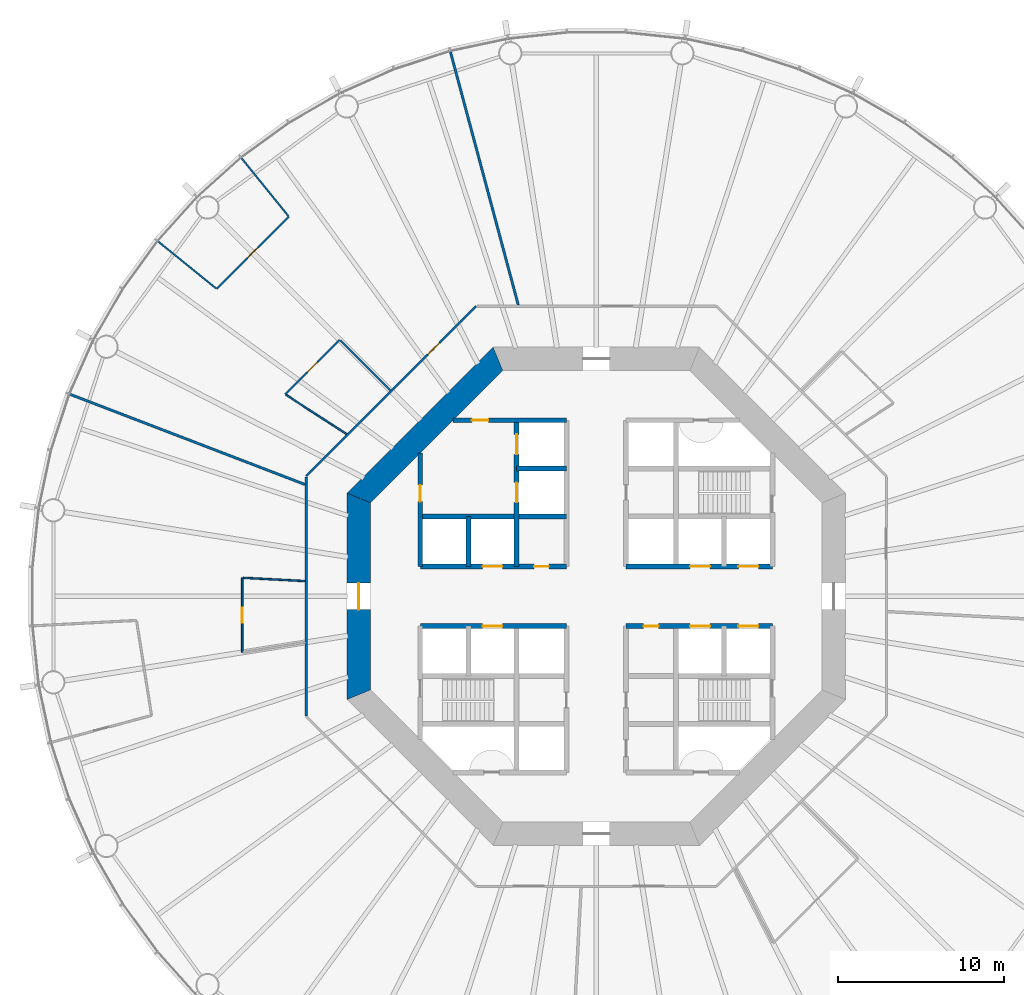
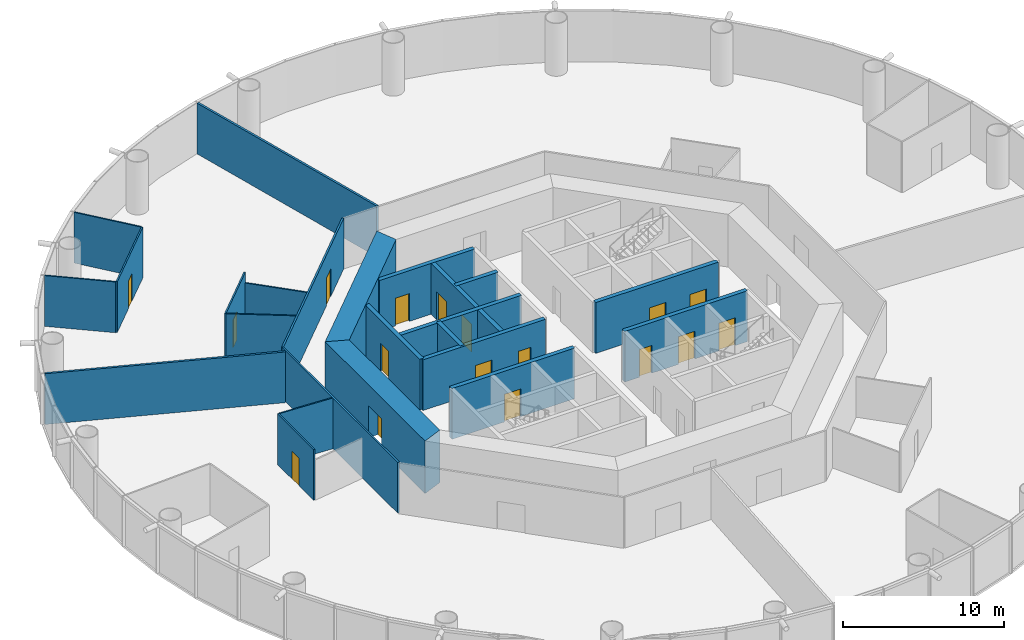
# One storey, part 4 of 12: 24 walls, 17 doors, 17 openings.
"""IFC4 building model written with IfcOpenShell, lengths in metres."""

import ifcopenshell
import ifcopenshell.guid

model = None  # the IFC model being written
_history = None  # IfcOwnerHistory: only IFC2X3 demands one
_inside = {}  # id of a spatial element -> (the spatial element, [elements in it])
_under = {}  # id of a project, library or spatial element -> (it, [spatial elements below it])
_declared = {}  # id of a project -> (the project, [libraries it declares])
_typed = {}  # id of a type object -> (the type object, [elements of that type])
_made_of = {}  # id of a material, layer set ... -> (it, [elements and type objects made of it])


def new_model(schema):
    """Start an empty IFC model of exactly this schema.

    Asked for "IFC4X3", IfcOpenShell would pick the latest addendum, in which some entities
    have other attributes; the version numbers below select the first issue.
    IFC2X3 requires an IfcOwnerHistory on every rooted entity: one is made here for all.
    """
    global model, _history
    if schema == "IFC4X3":
        model = ifcopenshell.file(schema_version=(4, 3, 0, 0))
    else:
        model = ifcopenshell.file(schema=schema)
    _inside.clear()
    _under.clear()
    _declared.clear()
    _typed.clear()
    _made_of.clear()
    _history = None
    if model.schema == "IFC2X3":
        org = make("IfcOrganization", Name="unknown")
        user = make(
            "IfcPersonAndOrganization",
            ThePerson=make("IfcPerson", FamilyName="unknown"),
            TheOrganization=org,
        )
        app = make(
            "IfcApplication",
            ApplicationDeveloper=org,
            Version="unknown",
            ApplicationFullName="unknown",
            ApplicationIdentifier="unknown",
        )
        _history = make(
            "IfcOwnerHistory",
            OwningUser=user,
            OwningApplication=app,
            ChangeAction="ADDED",
            CreationDate=0,
        )
    return model


def make(cls, **values):
    """One entity of the class cls with the attributes given. An attribute that is None is left unset."""
    return model.create_entity(
        cls, **{name: value for name, value in values.items() if value is not None}
    )


def rooted(cls, **values):
    """An entity with a GlobalId (a new one), such as an element, a storey or a relation."""
    return make(cls, GlobalId=ifcopenshell.guid.new(), OwnerHistory=_history, **values)


def si_unit(unit_type, name, prefix=None):
    """IfcSIUnit, for example si_unit("LENGTHUNIT", "METRE", prefix="MILLI")."""
    return make("IfcSIUnit", UnitType=unit_type, Prefix=prefix, Name=name)


def assignment(units):
    """IfcUnitAssignment: the units of a project."""
    return None if units is None else make("IfcUnitAssignment", Units=units)


def point(xyz):
    """IfcCartesianPoint."""
    return None if xyz is None else make("IfcCartesianPoint", Coordinates=xyz)


def direction(xyz):
    """IfcDirection."""
    return None if xyz is None else make("IfcDirection", DirectionRatios=xyz)


def frame(location, z_axis=None, x_axis=None):
    """IfcAxis2Placement3D, a coordinate frame: its origin and axes. An axis left out is left unset."""
    return make(
        "IfcAxis2Placement3D",
        Location=point(location),
        Axis=direction(z_axis),
        RefDirection=direction(x_axis),
    )


def frame_2d(location, x_axis=None):
    """IfcAxis2Placement2D, a coordinate frame in the plane: its origin and x axis."""
    return make(
        "IfcAxis2Placement2D", Location=point(location), RefDirection=direction(x_axis)
    )


def origin():
    """The frame at (0, 0, 0) with its axes left unset."""
    return frame((0.0, 0.0, 0.0))


def place(relative_to, where):
    """IfcLocalPlacement: puts the frame where relative to a parent placement (None: the world)."""
    return make(
        "IfcLocalPlacement", PlacementRelTo=relative_to, RelativePlacement=where
    )


def context(
    kind, dimensions, precision=None, world=None, true_north=None, identifier=None
):
    """IfcGeometricRepresentationContext, for example the 3D "Model" context."""
    return make(
        "IfcGeometricRepresentationContext",
        ContextIdentifier=identifier,
        ContextType=kind,
        CoordinateSpaceDimension=dimensions,
        Precision=precision,
        WorldCoordinateSystem=world,
        TrueNorth=true_north,
    )


def subcontext(parent, identifier, kind, view, scale=None):
    """IfcGeometricRepresentationSubContext, for example "Body" below "Model"."""
    return make(
        "IfcGeometricRepresentationSubContext",
        ContextIdentifier=identifier,
        ContextType=kind,
        ParentContext=parent,
        TargetScale=scale,
        TargetView=view,
    )


def project(units=None, contexts=None):
    """IfcProject with its units and contexts."""
    return rooted(
        "IfcProject",
        Name="project",
        RepresentationContexts=contexts,
        UnitsInContext=assignment(units),
    )


def spatial(cls, under=None, at=None, **own):
    """A site, building, storey or space (cls), placed at a placement, below another one or the project."""
    s = rooted(cls, ObjectPlacement=at, **own)
    if under is not None:
        _under.setdefault(under.id(), (under, []))[1].append(s)
    return s


def polyline(points):
    """IfcPolyline through the points."""
    return make("IfcPolyline", Points=[point(p) for p in points])


def profile(cls, at=None, kind="AREA", **sizes):
    """A parametric profile (cls). Its sizes go by their IFC names, for example OverallWidth=200.0."""
    return make(cls, ProfileType=kind, Position=at, **sizes)


def rectangle(**sizes):
    """IfcRectangleProfileDef."""
    return profile("IfcRectangleProfileDef", **sizes)


def outline(outer, holes=None, kind="AREA"):
    """IfcArbitraryClosedProfileDef: a profile drawn as a closed curve; with holes, ...WithVoids."""
    if holes is None:
        return make("IfcArbitraryClosedProfileDef", ProfileType=kind, OuterCurve=outer)
    return make(
        "IfcArbitraryProfileDefWithVoids",
        ProfileType=kind,
        OuterCurve=outer,
        InnerCurves=holes,
    )


def extrude(swept, where, along, depth):
    """IfcExtrudedAreaSolid: the profile swept, set in the frame where, extruded along a direction by depth."""
    return make(
        "IfcExtrudedAreaSolid",
        SweptArea=swept,
        Position=where,
        ExtrudedDirection=direction(along),
        Depth=depth,
    )


def shape(context_of_items, identifier, shape_type, items):
    """IfcShapeRepresentation: the items that make up one representation, for example the "Body"."""
    return make(
        "IfcShapeRepresentation",
        ContextOfItems=context_of_items,
        RepresentationIdentifier=identifier,
        RepresentationType=shape_type,
        Items=items,
    )


def material(Name=None, Category=None):
    """IfcMaterial."""
    return make("IfcMaterial", Name=Name, Category=Category)


def layer(
    of_material, thickness, ventilated=None, Name=None, Category=None, Priority=None
):
    """IfcMaterialLayer: one layer of a wall or slab, of a material (None: an air gap)."""
    return make(
        "IfcMaterialLayer",
        Material=of_material,
        LayerThickness=thickness,
        IsVentilated=ventilated,
        Name=Name,
        Category=Category,
        Priority=Priority,
    )


def layer_set(layers, Name=None):
    """IfcMaterialLayerSet."""
    return make("IfcMaterialLayerSet", MaterialLayers=layers, LayerSetName=Name)


def made_of(thing, what):
    """Note that an element or type object is made of a material, layer set ...; save() writes the relation."""
    if what is not None:
        _made_of.setdefault(what.id(), (what, []))[1].append(thing)
    return thing


def type_object(cls, material=None, **own):
    """A type object (cls), such as IfcWallType, which elements share."""
    return made_of(rooted(cls, **own), material)


def element(
    cls,
    number,
    at=None,
    inside=None,
    cuts=None,
    type_object=None,
    material=None,
    context=None,
    identifier="Body",
    shape_type=None,
    held_by="IfcProductDefinitionShape",
    body=None,
    shapes=None,
    **own,
):
    """One element of the class cls, such as IfcWall. Its Tag is "e" and its number.

    at: its placement. inside: the storey or other place that contains it. cuts: it is an
    opening in that element (IfcRelVoidsElement). A single representation is given by context,
    identifier, shape_type and body (its items); several are given by shapes. held_by: the class
    of the entity that holds the representations. save() writes the other relations.
    """
    e = rooted(cls, Tag="e%d" % number, ObjectPlacement=at, **own)
    if body is not None:
        shapes = [shape(context, identifier, shape_type, body)]
    if shapes is not None:
        e.Representation = make(held_by, Representations=shapes)
    if inside is not None:
        _inside.setdefault(inside.id(), (inside, []))[1].append(e)
    if cuts is not None:
        rooted(
            "IfcRelVoidsElement", RelatingBuildingElement=cuts, RelatedOpeningElement=e
        )
    if type_object is not None:
        _typed.setdefault(type_object.id(), (type_object, []))[1].append(e)
    return made_of(e, material)


def fill(opening, filler):
    """IfcRelFillsElement: the door or window that sits in an opening."""
    return rooted(
        "IfcRelFillsElement",
        RelatingOpeningElement=opening,
        RelatedBuildingElement=filler,
    )


def aggregate(whole, parts):
    """IfcRelAggregates: a whole, such as a stair, and the parts it consists of."""
    return rooted("IfcRelAggregates", RelatingObject=whole, RelatedObjects=parts)


def save(model, path):
    """Write the relations noted so far, then the file.

    IfcRelAggregates (storeys below a building ...), IfcRelContainedInSpatialStructure (elements
    in a storey), IfcRelDefinesByType, IfcRelAssociatesMaterial and IfcRelDeclares: one each for
    every whole, place, type object, material and project.
    """
    for whole, parts in _under.values():
        aggregate(whole, parts)
    for where, things in _inside.values():
        rooted(
            "IfcRelContainedInSpatialStructure",
            RelatedElements=things,
            RelatingStructure=where,
        )
    for kind, things in _typed.values():
        rooted("IfcRelDefinesByType", RelatedObjects=things, RelatingType=kind)
    for what, things in _made_of.values():
        rooted("IfcRelAssociatesMaterial", RelatedObjects=things, RelatingMaterial=what)
    for by, libraries in _declared.values():
        rooted("IfcRelDeclares", RelatingContext=by, RelatedDefinitions=libraries)
    model.write(path)


model = new_model("IFC4")

# Units and contexts
model_context = context("Model", 3, precision=1e-05, world=origin(), true_north=direction((0.0, 1.0)))
body_context = subcontext(model_context, "Body", "Model", "MODEL_VIEW")
ifc_project = project(units=[si_unit("LENGTHUNIT", "METRE"), si_unit("AREAUNIT", "SQUARE_METRE"), si_unit("VOLUMEUNIT", "CUBIC_METRE"), si_unit("PLANEANGLEUNIT", "RADIAN"), si_unit("MASSUNIT", "GRAM", prefix="KILO")], contexts=[model_context])

# Site, building, storey
site_placement = place(None, origin())
site = spatial("IfcSite", under=ifc_project, at=site_placement, CompositionType="ELEMENT")
building_placement = place(site_placement, origin())
building = spatial("IfcBuilding", under=site, at=building_placement, Name="Entoto Ring Tower", CompositionType="ELEMENT")
storey_placement = place(building_placement, frame((0.0, 0.0, 70.0)))
storey = spatial("IfcBuildingStorey", under=building, at=storey_placement, Name="L15", CompositionType="ELEMENT", Elevation=70.0)

# Wall, openings, doors
ifc_material_1 = material(Name="Concrete C40/50", Category="concrete")
ifc_layer_1 = layer(ifc_material_1, 0.300048828125)
ifc_layer_set_1 = layer_set([ifc_layer_1], Name="Concrete C40/50")
wall_type_1 = type_object("IfcWallType", Name="Core enclosure wall 300 mm reinforced concrete", PredefinedType="SOLIDWALL", material=ifc_layer_set_1)
wall_1_placement = place(storey_placement, frame((85.199951171875, 81.800048828125, 0.0), z_axis=(0.0, 0.0, 1.0), x_axis=(0.0, 1.0, 0.0)))
wall_1 = element("IfcWall", 1, at=wall_1_placement, inside=storey, type_object=wall_type_1, Name="wall-L15-012", PredefinedType="SOLIDWALL", context=body_context, shape_type="SweptSolid", body=[
    extrude(rectangle(XDim=8.800048828125, YDim=0.300048828125, at=frame_2d((4.39990234375, 0.0))), origin(), (0.0, 0.0, 1.0), 3.85009765625),
])
opening_1_placement = place(wall_1_placement, frame((3.85009765625, 0.0, 0.0)))
opening_1 = element("IfcOpeningElement", 2, at=opening_1_placement, cuts=wall_1, Name="Opening LD", PredefinedType="OPENING", context=body_context, shape_type="SweptSolid", body=[
    extrude(rectangle(XDim=1.199951171875, YDim=2.10009765625, at=frame_2d((0.60009765625, 1.050048828125))), frame((0.0, 0.16015625, 0.0), z_axis=(0.0, -1.0, 0.0), x_axis=(1.0, 0.0, 0.0)), (0.0, 0.0, 1.0), 0.320068359375),
])
opening_2_placement = place(wall_1_placement, frame((6.75, 0.0, 0.0)))
opening_2 = element("IfcOpeningElement", 3, at=opening_2_placement, cuts=wall_1, Name="Opening LD", PredefinedType="OPENING", context=body_context, shape_type="SweptSolid", body=[
    extrude(rectangle(XDim=1.199951171875, YDim=2.10009765625, at=frame_2d((0.60009765625, 1.050048828125))), frame((0.0, 0.16015625, 0.0), z_axis=(0.0, -1.0, 0.0), x_axis=(1.0, 0.0, 0.0)), (0.0, 0.0, 1.0), 0.320068359375),
])
ifc_material_2 = material(Name="Steel and glass door leaf", Category="steel")
ifc_layer_2 = layer(ifc_material_2, 0.050048828125)
ifc_layer_set_2 = layer_set([ifc_layer_2], Name="Steel and glass door leaf")
door_type_1 = type_object("IfcDoorType", Name="Landing door 1200 x 2100 sliding", OperationType="DOUBLE_DOOR_SLIDING", PredefinedType="DOOR", material=ifc_layer_set_2)
door_1_placement = place(opening_1_placement, origin())
door_1 = element("IfcDoor", 4, at=door_1_placement, inside=storey, type_object=door_type_1, Name="Landing door FF1", OperationType="SLIDING_TO_RIGHT", OverallHeight=2.10009765625, OverallWidth=1.199951171875, PredefinedType="DOOR", context=body_context, shape_type="SweptSolid", body=[
    extrude(rectangle(XDim=1.199951171875, YDim=2.10009765625, at=frame_2d((0.60009765625, 1.050048828125))), frame((0.0, 0.02490234375, 0.0), z_axis=(0.0, -1.0, 0.0), x_axis=(1.0, 0.0, 0.0)), (0.0, 0.0, 1.0), 0.050048828125),
])
fill(opening_1, door_1)
door_2_placement = place(opening_2_placement, origin())
door_2 = element("IfcDoor", 5, at=door_2_placement, inside=storey, type_object=door_type_1, Name="Landing door FF2", OperationType="SLIDING_TO_RIGHT", OverallHeight=2.10009765625, OverallWidth=1.199951171875, PredefinedType="DOOR", context=body_context, shape_type="SweptSolid", body=[
    extrude(rectangle(XDim=1.199951171875, YDim=2.10009765625, at=frame_2d((0.60009765625, 1.050048828125))), frame((0.0, 0.02490234375, 0.0), z_axis=(0.0, -1.0, 0.0), x_axis=(1.0, 0.0, 0.0)), (0.0, 0.0, 1.0), 0.050048828125),
])
fill(opening_2, door_2)

# Wall
wall_2_placement = place(storey_placement, frame((82.300048828125, 81.800048828125, 0.0), z_axis=(0.0, 0.0, 1.0), x_axis=(0.0, 1.0, 0.0)))
element("IfcWall", 6, at=wall_2_placement, inside=storey, type_object=wall_type_1, Name="wall-L15-014", PredefinedType="SOLIDWALL", context=body_context, shape_type="SweptSolid", body=[
    extrude(rectangle(XDim=3.0, YDim=0.300048828125, at=frame_2d((1.5, 0.0))), origin(), (0.0, 0.0, 1.0), 3.85009765625),
])

# Wall, opening, door
wall_3_placement = place(storey_placement, frame((79.39990234375, 81.800048828125, 0.0), z_axis=(0.0, 0.0, 1.0), x_axis=(0.0, 1.0, 0.0)))
wall_3 = element("IfcWall", 7, at=wall_3_placement, inside=storey, type_object=wall_type_1, Name="wall-L15-016", PredefinedType="SOLIDWALL", context=body_context, shape_type="SweptSolid", body=[
    extrude(rectangle(XDim=6.833251953125, YDim=0.300048828125, at=frame_2d((3.41650390625, 0.0))), origin(), (0.0, 0.0, 1.0), 3.85009765625),
])
opening_3_placement = place(wall_3_placement, frame((3.89990234375, 0.0, 0.0)))
opening_3 = element("IfcOpeningElement", 8, at=opening_3_placement, cuts=wall_3, Name="Opening K-23", PredefinedType="OPENING", context=body_context, shape_type="SweptSolid", body=[
    extrude(rectangle(XDim=1.0, YDim=2.10009765625, at=frame_2d((0.5, 1.050048828125))), frame((0.0, 0.16015625, 0.0), z_axis=(0.0, -1.0, 0.0), x_axis=(1.0, 0.0, 0.0)), (0.0, 0.0, 1.0), 0.320068359375),
])
ifc_material_3 = material(Name="Steel door leaf, fire rated", Category="steel")
ifc_layer_3 = layer(ifc_material_3, 0.050048828125)
ifc_layer_set_3 = layer_set([ifc_layer_3], Name="Steel door leaf, fire rated")
door_type_2 = type_object("IfcDoorType", Name="Fire door FD60 1000 x 2100 single leaf", OperationType="NOTDEFINED", PredefinedType="DOOR", material=ifc_layer_set_3)
door_3_placement = place(opening_3_placement, frame((1.0, 0.0, 0.0), z_axis=(0.0, 0.0, 1.0), x_axis=(-1.0, 0.0, 0.0)))
door_3 = element("IfcDoor", 9, at=door_3_placement, inside=storey, type_object=door_type_2, Name="Door K-23", OperationType="SINGLE_SWING_LEFT", OverallHeight=2.10009765625, OverallWidth=1.0, PredefinedType="DOOR", context=body_context, shape_type="SweptSolid", body=[
    extrude(rectangle(XDim=1.0, YDim=2.10009765625, at=frame_2d((0.5, 1.050048828125))), frame((0.0, 0.02490234375, 0.0), z_axis=(0.0, -1.0, 0.0), x_axis=(1.0, 0.0, 0.0)), (0.0, 0.0, 1.0), 0.050048828125),
])
fill(opening_3, door_3)

wall_4_placement = place(storey_placement, frame((79.39990234375, 78.199951171875, 0.0), z_axis=(0.0, 0.0, 1.0), x_axis=(1.0, 0.0, 0.0)))
wall_4 = element("IfcWall", 10, at=wall_4_placement, inside=storey, type_object=wall_type_1, Name="wall-L15-023", PredefinedType="SOLIDWALL", context=body_context, shape_type="SweptSolid", body=[
    extrude(rectangle(XDim=8.800048828125, YDim=0.300048828125, at=frame_2d((4.39990234375, 0.0))), origin(), (0.0, 0.0, 1.0), 3.85009765625),
])
opening_4_placement = place(wall_4_placement, frame((3.75, 0.0, 0.0)))
opening_4 = element("IfcOpeningElement", 11, at=opening_4_placement, cuts=wall_4, Name="Opening LD", PredefinedType="OPENING", context=body_context, shape_type="SweptSolid", body=[
    extrude(rectangle(XDim=1.199951171875, YDim=2.10009765625, at=frame_2d((0.60009765625, 1.050048828125))), frame((0.0, 0.16015625, 0.0), z_axis=(0.0, -1.0, 0.0), x_axis=(1.0, 0.0, 0.0)), (0.0, 0.0, 1.0), 0.320068359375),
])
door_4_placement = place(opening_4_placement, origin())
door_4 = element("IfcDoor", 12, at=door_4_placement, inside=storey, type_object=door_type_1, Name="Landing door LB6-LR", OperationType="SLIDING_TO_RIGHT", OverallHeight=2.10009765625, OverallWidth=1.199951171875, PredefinedType="DOOR", context=body_context, shape_type="SweptSolid", body=[
    extrude(rectangle(XDim=1.199951171875, YDim=2.10009765625, at=frame_2d((0.60009765625, 1.050048828125))), frame((0.0, 0.02490234375, 0.0), z_axis=(0.0, -1.0, 0.0), x_axis=(1.0, 0.0, 0.0)), (0.0, 0.0, 1.0), 0.050048828125),
])
fill(opening_4, door_4)

# Wall, openings, doors
wall_5_placement = place(storey_placement, frame((91.800048828125, 78.199951171875, 0.0), z_axis=(0.0, 0.0, 1.0), x_axis=(1.0, 0.0, 0.0)))
wall_5 = element("IfcWall", 13, at=wall_5_placement, inside=storey, type_object=wall_type_1, Name="wall-L15-024", PredefinedType="SOLIDWALL", context=body_context, shape_type="SweptSolid", body=[
    extrude(rectangle(XDim=8.800048828125, YDim=0.300048828125, at=frame_2d((4.39990234375, 0.0))), origin(), (0.0, 0.0, 1.0), 3.85009765625),
])
opening_5_placement = place(wall_5_placement, frame((3.85009765625, 0.0, 0.0)))
opening_5 = element("IfcOpeningElement", 14, at=opening_5_placement, cuts=wall_5, Name="Opening LD", PredefinedType="OPENING", context=body_context, shape_type="SweptSolid", body=[
    extrude(rectangle(XDim=1.199951171875, YDim=2.10009765625, at=frame_2d((0.60009765625, 1.050048828125))), frame((0.0, 0.16015625, 0.0), z_axis=(0.0, -1.0, 0.0), x_axis=(1.0, 0.0, 0.0)), (0.0, 0.0, 1.0), 0.320068359375),
])
opening_6_placement = place(wall_5_placement, frame((6.75, 0.0, 0.0)))
opening_6 = element("IfcOpeningElement", 15, at=opening_6_placement, cuts=wall_5, Name="Opening LD", PredefinedType="OPENING", context=body_context, shape_type="SweptSolid", body=[
    extrude(rectangle(XDim=1.199951171875, YDim=2.10009765625, at=frame_2d((0.60009765625, 1.050048828125))), frame((0.0, 0.16015625, 0.0), z_axis=(0.0, -1.0, 0.0), x_axis=(1.0, 0.0, 0.0)), (0.0, 0.0, 1.0), 0.320068359375),
])
opening_7_placement = place(wall_5_placement, frame((1.050048828125, 0.0, 0.0)))
opening_7 = element("IfcOpeningElement", 16, at=opening_7_placement, cuts=wall_5, Name="Opening K-16", PredefinedType="OPENING", context=body_context, shape_type="SweptSolid", body=[
    extrude(rectangle(XDim=0.89990234375, YDim=2.10009765625, at=frame_2d((0.449951171875, 1.050048828125))), frame((0.0, 0.16015625, 0.0), z_axis=(0.0, -1.0, 0.0), x_axis=(1.0, 0.0, 0.0)), (0.0, 0.0, 1.0), 0.320068359375),
])
ifc_material_4 = material(Name="Steel door leaf, fire rated", Category="steel")
ifc_layer_4 = layer(ifc_material_4, 0.050048828125)
ifc_layer_set_4 = layer_set([ifc_layer_4], Name="Steel door leaf, fire rated")
door_type_3 = type_object("IfcDoorType", Name="Core door 900 x 2100 single leaf", OperationType="NOTDEFINED", PredefinedType="DOOR", material=ifc_layer_set_4)
door_5_placement = place(opening_7_placement, frame((0.89990234375, 0.0, 0.0), z_axis=(0.0, 0.0, 1.0), x_axis=(-1.0, 0.0, 0.0)))
door_5 = element("IfcDoor", 17, at=door_5_placement, inside=storey, type_object=door_type_3, Name="Door K-16", OperationType="SINGLE_SWING_RIGHT", OverallHeight=2.10009765625, OverallWidth=0.89990234375, PredefinedType="DOOR", context=body_context, shape_type="SweptSolid", body=[
    extrude(rectangle(XDim=0.89990234375, YDim=2.10009765625, at=frame_2d((0.449951171875, 1.050048828125))), frame((0.0, 0.02490234375, 0.0), z_axis=(0.0, -1.0, 0.0), x_axis=(1.0, 0.0, 0.0)), (0.0, 0.0, 1.0), 0.050048828125),
])
fill(opening_7, door_5)
door_6_placement = place(opening_5_placement, origin())
door_6 = element("IfcDoor", 18, at=door_6_placement, inside=storey, type_object=door_type_1, Name="Landing door LB4-LR", OperationType="SLIDING_TO_RIGHT", OverallHeight=2.10009765625, OverallWidth=1.199951171875, PredefinedType="DOOR", context=body_context, shape_type="SweptSolid", body=[
    extrude(rectangle(XDim=1.199951171875, YDim=2.10009765625, at=frame_2d((0.60009765625, 1.050048828125))), frame((0.0, 0.02490234375, 0.0), z_axis=(0.0, -1.0, 0.0), x_axis=(1.0, 0.0, 0.0)), (0.0, 0.0, 1.0), 0.050048828125),
])
fill(opening_5, door_6)
door_7_placement = place(opening_6_placement, origin())
door_7 = element("IfcDoor", 19, at=door_7_placement, inside=storey, type_object=door_type_1, Name="Landing door LB5-LR", OperationType="SLIDING_TO_RIGHT", OverallHeight=2.10009765625, OverallWidth=1.199951171875, PredefinedType="DOOR", context=body_context, shape_type="SweptSolid", body=[
    extrude(rectangle(XDim=1.199951171875, YDim=2.10009765625, at=frame_2d((0.60009765625, 1.050048828125))), frame((0.0, 0.02490234375, 0.0), z_axis=(0.0, -1.0, 0.0), x_axis=(1.0, 0.0, 0.0)), (0.0, 0.0, 1.0), 0.050048828125),
])
fill(opening_6, door_7)

wall_6_placement = place(storey_placement, frame((79.39990234375, 81.800048828125, 0.0), z_axis=(0.0, 0.0, 1.0), x_axis=(1.0, 0.0, 0.0)))
wall_6 = element("IfcWall", 20, at=wall_6_placement, inside=storey, type_object=wall_type_1, Name="wall-L15-025", PredefinedType="SOLIDWALL", context=body_context, shape_type="SweptSolid", body=[
    extrude(rectangle(XDim=8.800048828125, YDim=0.300048828125, at=frame_2d((4.39990234375, 0.0))), origin(), (0.0, 0.0, 1.0), 3.85009765625),
])
opening_8_placement = place(wall_6_placement, frame((3.75, 0.0, 0.0)))
opening_8 = element("IfcOpeningElement", 21, at=opening_8_placement, cuts=wall_6, Name="Opening LD", PredefinedType="OPENING", context=body_context, shape_type="SweptSolid", body=[
    extrude(rectangle(XDim=1.199951171875, YDim=2.10009765625, at=frame_2d((0.60009765625, 1.050048828125))), frame((0.0, 0.16015625, 0.0), z_axis=(0.0, -1.0, 0.0), x_axis=(1.0, 0.0, 0.0)), (0.0, 0.0, 1.0), 0.320068359375),
])
opening_9_placement = place(wall_6_placement, frame((6.85009765625, 0.0, 0.0)))
opening_9 = element("IfcOpeningElement", 22, at=opening_9_placement, cuts=wall_6, Name="Opening K-15", PredefinedType="OPENING", context=body_context, shape_type="SweptSolid", body=[
    extrude(rectangle(XDim=0.89990234375, YDim=2.10009765625, at=frame_2d((0.449951171875, 1.050048828125))), frame((0.0, 0.16015625, 0.0), z_axis=(0.0, -1.0, 0.0), x_axis=(1.0, 0.0, 0.0)), (0.0, 0.0, 1.0), 0.320068359375),
])
door_8_placement = place(opening_9_placement, frame((0.89990234375, 0.0, 0.0), z_axis=(0.0, 0.0, 1.0), x_axis=(-1.0, 0.0, 0.0)))
door_8 = element("IfcDoor", 23, at=door_8_placement, inside=storey, type_object=door_type_3, Name="Door K-15", OperationType="SINGLE_SWING_RIGHT", OverallHeight=2.10009765625, OverallWidth=0.89990234375, PredefinedType="DOOR", context=body_context, shape_type="SweptSolid", body=[
    extrude(rectangle(XDim=0.89990234375, YDim=2.10009765625, at=frame_2d((0.449951171875, 1.050048828125))), frame((0.0, 0.02490234375, 0.0), z_axis=(0.0, -1.0, 0.0), x_axis=(1.0, 0.0, 0.0)), (0.0, 0.0, 1.0), 0.050048828125),
])
fill(opening_9, door_8)
door_9_placement = place(opening_8_placement, origin())
door_9 = element("IfcDoor", 24, at=door_9_placement, inside=storey, type_object=door_type_1, Name="Landing door LB3-LR", OperationType="SLIDING_TO_RIGHT", OverallHeight=2.10009765625, OverallWidth=1.199951171875, PredefinedType="DOOR", context=body_context, shape_type="SweptSolid", body=[
    extrude(rectangle(XDim=1.199951171875, YDim=2.10009765625, at=frame_2d((0.60009765625, 1.050048828125))), frame((0.0, 0.02490234375, 0.0), z_axis=(0.0, -1.0, 0.0), x_axis=(1.0, 0.0, 0.0)), (0.0, 0.0, 1.0), 0.050048828125),
])
fill(opening_8, door_9)

wall_7_placement = place(storey_placement, frame((91.800048828125, 81.800048828125, 0.0), z_axis=(0.0, 0.0, 1.0), x_axis=(1.0, 0.0, 0.0)))
wall_7 = element("IfcWall", 25, at=wall_7_placement, inside=storey, type_object=wall_type_1, Name="wall-L15-026", PredefinedType="SOLIDWALL", context=body_context, shape_type="SweptSolid", body=[
    extrude(rectangle(XDim=8.800048828125, YDim=0.300048828125, at=frame_2d((4.39990234375, 0.0))), origin(), (0.0, 0.0, 1.0), 3.85009765625),
])
opening_10_placement = place(wall_7_placement, frame((3.85009765625, 0.0, 0.0)))
opening_10 = element("IfcOpeningElement", 26, at=opening_10_placement, cuts=wall_7, Name="Opening LD", PredefinedType="OPENING", context=body_context, shape_type="SweptSolid", body=[
    extrude(rectangle(XDim=1.199951171875, YDim=2.10009765625, at=frame_2d((0.60009765625, 1.050048828125))), frame((0.0, 0.16015625, 0.0), z_axis=(0.0, -1.0, 0.0), x_axis=(1.0, 0.0, 0.0)), (0.0, 0.0, 1.0), 0.320068359375),
])
opening_11_placement = place(wall_7_placement, frame((6.75, 0.0, 0.0)))
opening_11 = element("IfcOpeningElement", 27, at=opening_11_placement, cuts=wall_7, Name="Opening LD", PredefinedType="OPENING", context=body_context, shape_type="SweptSolid", body=[
    extrude(rectangle(XDim=1.199951171875, YDim=2.10009765625, at=frame_2d((0.60009765625, 1.050048828125))), frame((0.0, 0.16015625, 0.0), z_axis=(0.0, -1.0, 0.0), x_axis=(1.0, 0.0, 0.0)), (0.0, 0.0, 1.0), 0.320068359375),
])
door_10_placement = place(opening_10_placement, origin())
door_10 = element("IfcDoor", 28, at=door_10_placement, inside=storey, type_object=door_type_1, Name="Landing door LB1-LR", OperationType="SLIDING_TO_RIGHT", OverallHeight=2.10009765625, OverallWidth=1.199951171875, PredefinedType="DOOR", context=body_context, shape_type="SweptSolid", body=[
    extrude(rectangle(XDim=1.199951171875, YDim=2.10009765625, at=frame_2d((0.60009765625, 1.050048828125))), frame((0.0, 0.02490234375, 0.0), z_axis=(0.0, -1.0, 0.0), x_axis=(1.0, 0.0, 0.0)), (0.0, 0.0, 1.0), 0.050048828125),
])
fill(opening_10, door_10)
door_11_placement = place(opening_11_placement, origin())
door_11 = element("IfcDoor", 29, at=door_11_placement, inside=storey, type_object=door_type_1, Name="Landing door LB2-LR", OperationType="SLIDING_TO_RIGHT", OverallHeight=2.10009765625, OverallWidth=1.199951171875, PredefinedType="DOOR", context=body_context, shape_type="SweptSolid", body=[
    extrude(rectangle(XDim=1.199951171875, YDim=2.10009765625, at=frame_2d((0.60009765625, 1.050048828125))), frame((0.0, 0.02490234375, 0.0), z_axis=(0.0, -1.0, 0.0), x_axis=(1.0, 0.0, 0.0)), (0.0, 0.0, 1.0), 0.050048828125),
])
fill(opening_11, door_11)

# Walls
wall_8_placement = place(storey_placement, frame((79.39990234375, 84.800048828125, 0.0), z_axis=(0.0, 0.0, 1.0), x_axis=(1.0, 0.0, 0.0)))
element("IfcWall", 30, at=wall_8_placement, inside=storey, type_object=wall_type_1, Name="wall-L15-027", PredefinedType="SOLIDWALL", context=body_context, shape_type="SweptSolid", body=[
    extrude(rectangle(XDim=8.800048828125, YDim=0.300048828125, at=frame_2d((4.39990234375, 0.0))), origin(), (0.0, 0.0, 1.0), 3.85009765625),
])
wall_9_placement = place(storey_placement, frame((85.199951171875, 87.699951171875, 0.0), z_axis=(0.0, 0.0, 1.0), x_axis=(1.0, 0.0, 0.0)))
element("IfcWall", 31, at=wall_9_placement, inside=storey, type_object=wall_type_1, Name="wall-L15-029", PredefinedType="SOLIDWALL", context=body_context, shape_type="SweptSolid", body=[
    extrude(rectangle(XDim=3.0, YDim=0.300048828125, at=frame_2d((1.5, 0.0))), origin(), (0.0, 0.0, 1.0), 3.85009765625),
])

# Wall, opening, door
wall_10_placement = place(storey_placement, frame((81.36669921875, 90.60009765625, 0.0), z_axis=(0.0, 0.0, 1.0), x_axis=(1.0, 0.0, 0.0)))
wall_10 = element("IfcWall", 32, at=wall_10_placement, inside=storey, type_object=wall_type_1, Name="wall-L15-031", PredefinedType="SOLIDWALL", context=body_context, shape_type="SweptSolid", body=[
    extrude(rectangle(XDim=6.833251953125, YDim=0.300048828125, at=frame_2d((3.41650390625, 0.0))), origin(), (0.0, 0.0, 1.0), 3.85009765625),
])
opening_12_placement = place(wall_10_placement, frame((1.13330078125, 0.0, 0.0)))
opening_12 = element("IfcOpeningElement", 33, at=opening_12_placement, cuts=wall_10, Name="Opening K-73", PredefinedType="OPENING", context=body_context, shape_type="SweptSolid", body=[
    extrude(rectangle(XDim=1.0, YDim=2.10009765625, at=frame_2d((0.5, 1.050048828125))), frame((0.0, 0.16015625, 0.0), z_axis=(0.0, -1.0, 0.0), x_axis=(1.0, 0.0, 0.0)), (0.0, 0.0, 1.0), 0.320068359375),
])
door_12_placement = place(opening_12_placement, frame((1.0, 0.0, 0.0), z_axis=(0.0, 0.0, 1.0), x_axis=(-1.0, 0.0, 0.0)))
door_12 = element("IfcDoor", 34, at=door_12_placement, inside=storey, type_object=door_type_2, Name="Door K-73", OperationType="SINGLE_SWING_RIGHT", OverallHeight=2.10009765625, OverallWidth=1.0, PredefinedType="DOOR", context=body_context, shape_type="SweptSolid", body=[
    extrude(rectangle(XDim=1.0, YDim=2.10009765625, at=frame_2d((0.5, 1.050048828125))), frame((0.0, 0.02490234375, 0.0), z_axis=(0.0, -1.0, 0.0), x_axis=(1.0, 0.0, 0.0)), (0.0, 0.0, 1.0), 0.050048828125),
])
fill(opening_12, door_12)

# Wall
ifc_material_5 = material(Name="Concrete C60/75", Category="concrete")
ifc_layer_5 = layer(ifc_material_5, 1.39990234375)
ifc_layer_set_5 = layer_set([ifc_layer_5], Name="Concrete C60/75")
wall_type_2 = type_object("IfcWallType", Name="Core shear wall 1400 mm reinforced concrete C60/75", PredefinedType="SHEAR", material=ifc_layer_set_5)
wall_11_placement = place(storey_placement, frame((84.07666015625, 94.300048828125, 0.0), z_axis=(0.0, 0.0, 1.0), x_axis=(-0.707106781187, -0.707106781187, 0.0)))
element("IfcWall", 35, at=wall_11_placement, inside=storey, type_object=wall_type_2, Name="wall-L15-core-3", PredefinedType="SHEAR", context=body_context, shape_type="SweptSolid", body=[
    extrude(outline(polyline([(-0.2900390625, -0.699951171875), (12.136474609375, -0.699951171875), (11.556396484375, 0.699951171875), (0.2900390625, 0.699951171875), (-0.2900390625, -0.699951171875)])), origin(), (0.0, 0.0, 1.0), 4.0),
])

# Wall, opening, door
wall_12_placement = place(storey_placement, frame((75.699951171875, 85.92333984375, 0.0), z_axis=(0.0, 0.0, 1.0), x_axis=(0.0, -1.0, 0.0)))
wall_12 = element("IfcWall", 36, at=wall_12_placement, inside=storey, type_object=wall_type_2, Name="wall-L15-core-4", PredefinedType="SHEAR", context=body_context, shape_type="SweptSolid", body=[
    extrude(outline(polyline([(-0.2900390625, -0.699951171875), (12.13671875, -0.699951171875), (11.556640625, 0.699951171875), (0.2900390625, 0.699951171875), (-0.2900390625, -0.699951171875)])), origin(), (0.0, 0.0, 1.0), 4.0),
])
opening_13_placement = place(wall_12_placement, frame((5.123291015625, 0.0, 0.0)))
opening_13 = element("IfcOpeningElement", 37, at=opening_13_placement, cuts=wall_12, Name="Opening K-03", PredefinedType="OPENING", context=body_context, shape_type="SweptSolid", body=[
    extrude(rectangle(XDim=1.60009765625, YDim=2.39990234375, at=frame_2d((0.800048828125, 1.199951171875))), frame((0.0, 0.7099609375, 0.0), z_axis=(0.0, -1.0, 0.0), x_axis=(1.0, 0.0, 0.0)), (0.0, 0.0, 1.0), 1.419921875),
])
ifc_material_6 = material(Name="Steel door leaf, fire rated", Category="steel")
ifc_layer_6 = layer(ifc_material_6, 0.050048828125)
ifc_layer_set_6 = layer_set([ifc_layer_6], Name="Steel door leaf, fire rated")
door_type_4 = type_object("IfcDoorType", Name="Entrance door FD60 1600 x 2400 double leaf", OperationType="DOUBLE_DOOR_SINGLE_SWING", PredefinedType="DOOR", material=ifc_layer_set_6)
door_13_placement = place(opening_13_placement, origin())
door_13 = element("IfcDoor", 38, at=door_13_placement, inside=storey, type_object=door_type_4, Name="Entrance door K-03", OperationType="DOUBLE_DOOR_SINGLE_SWING", OverallHeight=2.39990234375, OverallWidth=1.60009765625, PredefinedType="DOOR", context=body_context, shape_type="SweptSolid", body=[
    extrude(rectangle(XDim=1.60009765625, YDim=2.39990234375, at=frame_2d((0.800048828125, 1.199951171875))), frame((0.0, 0.02490234375, 0.0), z_axis=(0.0, -1.0, 0.0), x_axis=(1.0, 0.0, 0.0)), (0.0, 0.0, 1.0), 0.050048828125),
])
fill(opening_13, door_13)

ifc_material_7 = material(Name="Fire-resisting plasterboard on steel studs", Category="steel")
ifc_layer_7 = layer(ifc_material_7, 0.125)
ifc_layer_set_7 = layer_set([ifc_layer_7], Name="Fire-resisting plasterboard on steel studs")
wall_type_3 = type_object("IfcWallType", Name="Corridor wall 125 mm one-hour plasterboard on steel studs", PredefinedType="PARTITIONING", material=ifc_layer_set_7)
wall_13_placement = place(storey_placement, frame((72.53759765625, 87.233154296875, 0.0), z_axis=(0.0, 0.0, 1.0), x_axis=(0.707106781187, 0.707106781187, 0.0)))
wall_13 = element("IfcWall", 39, at=wall_13_placement, inside=storey, type_object=wall_type_3, Name="partition-L15-001", PredefinedType="PARTITIONING", context=body_context, shape_type="SweptSolid", body=[
    extrude(rectangle(XDim=14.46630859375, YDim=0.125, at=frame_2d((7.233154296875, 0.0))), origin(), (0.0, 0.0, 1.0), 3.85009765625),
])
opening_14_placement = place(wall_13_placement, frame((10.349853515625, 0.0, 0.0)))
opening_14 = element("IfcOpeningElement", 40, at=opening_14_placement, cuts=wall_13, Name="Opening A06-D05", PredefinedType="OPENING", context=body_context, shape_type="SweptSolid", body=[
    extrude(rectangle(XDim=1.0, YDim=2.10009765625, at=frame_2d((0.5, 1.050048828125))), frame((0.0, 0.072509765625, 0.0), z_axis=(0.0, -1.0, 0.0), x_axis=(1.0, 0.0, 0.0)), (0.0, 0.0, 1.0), 0.14501953125),
])
ifc_material_8 = material(Name="Fire-resisting timber door set", Category="wood")
door_type_5 = type_object("IfcDoorType", Name="Door 1000 x 2100 single leaf FD30S fire door", OperationType="NOTDEFINED", PredefinedType="DOOR", material=ifc_material_8)
door_14_placement = place(opening_14_placement, origin())
door_14 = element("IfcDoor", 41, at=door_14_placement, inside=storey, type_object=door_type_5, Name="Door A06-D05", OperationType="SINGLE_SWING_LEFT", OverallHeight=2.10009765625, OverallWidth=1.0, PredefinedType="DOOR", context=body_context, shape_type="SweptSolid", body=[
    extrude(rectangle(XDim=1.0, YDim=2.10009765625, at=frame_2d((0.5, 1.050048828125))), frame((0.0, 0.02490234375, 0.0), z_axis=(0.0, -1.0, 0.0), x_axis=(1.0, 0.0, 0.0)), (0.0, 0.0, 1.0), 0.050048828125),
])
fill(opening_14, door_14)

# Wall
wall_14_placement = place(storey_placement, frame((72.53759765625, 72.810791015625, 0.0), z_axis=(0.0, 0.0, 1.0), x_axis=(0.0, 1.0, 0.0)))
element("IfcWall", 42, at=wall_14_placement, inside=storey, type_object=wall_type_3, Name="partition-L15-005", PredefinedType="PARTITIONING", context=body_context, shape_type="SweptSolid", body=[
    extrude(rectangle(XDim=14.37841796875, YDim=0.125, at=frame_2d((7.189208984375, 0.0))), origin(), (0.0, 0.0, 1.0), 3.85009765625),
])

# Wall, opening, door
ifc_material_9 = material(Name="Plasterboard on steel studs", Category="steel")
ifc_layer_8 = layer(ifc_material_9, 0.10009765625)
ifc_layer_set_8 = layer_set([ifc_layer_8], Name="Plasterboard on steel studs")
wall_type_4 = type_object("IfcWallType", Name="Partition 100 mm plasterboard on steel studs", PredefinedType="PARTITIONING", material=ifc_layer_set_8)
wall_15_placement = place(storey_placement, frame((67.136474609375, 98.5146484375, 0.0), z_axis=(0.0, 0.0, 1.0), x_axis=(0.707106781187, 0.707106781187, 0.0)))
wall_15 = element("IfcWall", 43, at=wall_15_placement, inside=storey, type_object=wall_type_4, Name="partition-L15-016", PredefinedType="PARTITIONING", context=body_context, shape_type="SweptSolid", body=[
    extrude(rectangle(XDim=6.150146484375, YDim=0.10009765625, at=frame_2d((3.0751953125, 0.0))), origin(), (0.0, 0.0, 1.0), 3.85009765625),
])
opening_15_placement = place(wall_15_placement, frame((2.625244140625, 0.0, 0.0)))
opening_15 = element("IfcOpeningElement", 44, at=opening_15_placement, cuts=wall_15, Name="Opening A06-D07", PredefinedType="OPENING", context=body_context, shape_type="SweptSolid", body=[
    extrude(rectangle(XDim=0.89990234375, YDim=2.10009765625, at=frame_2d((0.449951171875, 1.050048828125))), frame((0.0, 0.06005859375, 0.0), z_axis=(0.0, -1.0, 0.0), x_axis=(1.0, 0.0, 0.0)), (0.0, 0.0, 1.0), 0.1201171875),
])
ifc_material_10 = material(Name="Veneered timber door leaf in timber frame", Category="wood")
door_type_6 = type_object("IfcDoorType", Name="Door 900 x 2100 single leaf timber veneer", OperationType="NOTDEFINED", PredefinedType="DOOR", material=ifc_material_10)
door_15_placement = place(opening_15_placement, origin())
door_15 = element("IfcDoor", 45, at=door_15_placement, inside=storey, type_object=door_type_6, Name="Door A06-D07", OperationType="SINGLE_SWING_LEFT", OverallHeight=2.10009765625, OverallWidth=0.89990234375, PredefinedType="DOOR", context=body_context, shape_type="SweptSolid", body=[
    extrude(rectangle(XDim=0.89990234375, YDim=2.10009765625, at=frame_2d((0.449951171875, 1.050048828125))), frame((0.0, 0.02490234375, 0.0), z_axis=(0.0, -1.0, 0.0), x_axis=(1.0, 0.0, 0.0)), (0.0, 0.0, 1.0), 0.050048828125),
])
fill(opening_15, door_15)

wall_16_placement = place(storey_placement, frame((71.272216796875, 92.162109375, 0.0), z_axis=(0.0, 0.0, 1.0), x_axis=(0.707080487358, 0.707133074037, 0.0)))
wall_16 = element("IfcWall", 46, at=wall_16_placement, inside=storey, type_object=wall_type_4, Name="partition-L15-024", PredefinedType="PARTITIONING", context=body_context, shape_type="SweptSolid", body=[
    extrude(rectangle(XDim=4.642578125, YDim=0.10009765625, at=frame_2d((2.3212890625, 0.0))), origin(), (0.0, 0.0, 1.0), 3.85009765625),
])
opening_16_placement = place(wall_16_placement, frame((1.871337890625, 0.0, 0.0)))
opening_16 = element("IfcOpeningElement", 47, at=opening_16_placement, cuts=wall_16, Name="Opening A06-D06", PredefinedType="OPENING", context=body_context, shape_type="SweptSolid", body=[
    extrude(rectangle(XDim=0.89990234375, YDim=2.10009765625, at=frame_2d((0.449951171875, 1.050048828125))), frame((0.0, 0.06005859375, 0.0), z_axis=(0.0, -1.0, 0.0), x_axis=(1.0, 0.0, 0.0)), (0.0, 0.0, 1.0), 0.1201171875),
])
door_16_placement = place(opening_16_placement, frame((0.89990234375, 0.0, 0.0), z_axis=(0.0, 0.0, 1.0), x_axis=(-1.0, 0.0, 0.0)))
door_16 = element("IfcDoor", 48, at=door_16_placement, inside=storey, type_object=door_type_6, Name="Door A06-D06", OperationType="SINGLE_SWING_RIGHT", OverallHeight=2.10009765625, OverallWidth=0.89990234375, PredefinedType="DOOR", context=body_context, shape_type="SweptSolid", body=[
    extrude(rectangle(XDim=0.89990234375, YDim=2.10009765625, at=frame_2d((0.449951171875, 1.050048828125))), frame((0.0, 0.02490234375, 0.0), z_axis=(0.0, -1.0, 0.0), x_axis=(1.0, 0.0, 0.0)), (0.0, 0.0, 1.0), 0.050048828125),
])
fill(opening_16, door_16)

# Walls
for number, where, z_axis, x_axis, name in (
    (49, (67.097900390625, 98.5458984375, 0.0), (0.0, 0.0, 1.0), (-0.777152019067, 0.629312910451, 0.0), "partition-L15-025"),
    (50, (71.4541015625, 102.902099609375, 0.0), (0.0, 0.0, 1.0), (-0.629312910451, 0.777152019067, 0.0), "partition-L15-026"),
):
    element("IfcWall", number, at=place(storey_placement, frame(where, z_axis=z_axis, x_axis=x_axis)), inside=storey, type_object=wall_type_4, Name=name, PredefinedType="PARTITIONING", context=body_context, shape_type="SweptSolid", body=[
        extrude(rectangle(XDim=4.47021484375, YDim=0.10009765625, at=frame_2d((2.235107421875, 0.0))), origin(), (0.0, 0.0, 1.0), 3.85009765625),
    ])

# Wall, opening, door
wall_17_placement = place(storey_placement, frame((68.6875, 76.62451171875, 0.0), z_axis=(0.0, 0.0, 1.0), x_axis=(0.0, 1.0, 0.0)))
wall_17 = element("IfcWall", 51, at=wall_17_placement, inside=storey, type_object=wall_type_4, Name="partition-L15-027", PredefinedType="PARTITIONING", context=body_context, shape_type="SweptSolid", body=[
    extrude(rectangle(XDim=4.492431640625, YDim=0.10009765625, at=frame_2d((2.24609375, 0.0))), origin(), (0.0, 0.0, 1.0), 3.85009765625),
])
opening_17_placement = place(wall_17_placement, frame((1.79638671875, 0.0, 0.0)))
opening_17 = element("IfcOpeningElement", 52, at=opening_17_placement, cuts=wall_17, Name="Opening A06-D10", PredefinedType="OPENING", context=body_context, shape_type="SweptSolid", body=[
    extrude(rectangle(XDim=0.89990234375, YDim=2.10009765625, at=frame_2d((0.449951171875, 1.050048828125))), frame((0.0, 0.06005859375, 0.0), z_axis=(0.0, -1.0, 0.0), x_axis=(1.0, 0.0, 0.0)), (0.0, 0.0, 1.0), 0.1201171875),
])
door_17_placement = place(opening_17_placement, frame((0.89990234375, 0.0, 0.0), z_axis=(0.0, 0.0, 1.0), x_axis=(-1.0, 0.0, 0.0)))
door_17 = element("IfcDoor", 53, at=door_17_placement, inside=storey, type_object=door_type_6, Name="Door A06-D10", OperationType="SINGLE_SWING_RIGHT", OverallHeight=2.10009765625, OverallWidth=0.89990234375, PredefinedType="DOOR", context=body_context, shape_type="SweptSolid", body=[
    extrude(rectangle(XDim=0.89990234375, YDim=2.10009765625, at=frame_2d((0.449951171875, 1.050048828125))), frame((0.0, 0.02490234375, 0.0), z_axis=(0.0, -1.0, 0.0), x_axis=(1.0, 0.0, 0.0)), (0.0, 0.0, 1.0), 0.050048828125),
])
fill(opening_17, door_17)

# Walls
wall_18_placement = place(storey_placement, frame((74.965087890625, 89.763916015625, 0.0), z_axis=(0.0, 0.0, 1.0), x_axis=(-0.838694049791, 0.544602874437, 0.0)))
element("IfcWall", 54, at=wall_18_placement, inside=storey, type_object=wall_type_4, Name="partition-L15-028", PredefinedType="PARTITIONING", context=body_context, shape_type="SweptSolid", body=[
    extrude(rectangle(XDim=4.341796875, YDim=0.10009765625, at=frame_2d((2.1708984375, 0.0))), origin(), (0.0, 0.0, 1.0), 3.85009765625),
])
wall_19_placement = place(storey_placement, frame((72.472412109375, 80.918701171875, 0.0), z_axis=(0.0, 0.0, 1.0), x_axis=(-0.998630252035, 0.052322267915, 0.0)))
element("IfcWall", 55, at=wall_19_placement, inside=storey, type_object=wall_type_4, Name="partition-L15-032", PredefinedType="PARTITIONING", context=body_context, shape_type="SweptSolid", body=[
    extrude(rectangle(XDim=3.737548828125, YDim=0.10009765625, at=frame_2d((1.86865234375, 0.0))), origin(), (0.0, 0.0, 1.0), 3.85009765625),
])
ifc_material_11 = material(Name="Plasterboard on steel studs", Category="steel")
ifc_layer_9 = layer(ifc_material_11, 0.10009765625)
ifc_layer_set_9 = layer_set([ifc_layer_9], Name="Plasterboard on steel studs")
wall_type_5 = type_object("IfcWallType", Name="Partition 100 mm plasterboard on steel studs, 3050 mm high", PredefinedType="PARTITIONING", material=ifc_layer_set_9)
wall_20_placement = place(storey_placement, frame((77.60791015625, 92.39208984375, 0.0), z_axis=(0.0, 0.0, 1.0), x_axis=(-0.707106781187, 0.707106781187, 0.0)))
element("IfcWall", 56, at=wall_20_placement, inside=storey, type_object=wall_type_5, Name="partition-L15-030", PredefinedType="PARTITIONING", context=body_context, shape_type="SweptSolid", body=[
    extrude(rectangle(XDim=4.267578125, YDim=0.10009765625, at=frame_2d((2.1337890625, 0.0))), origin(), (0.0, 0.0, 1.0), 3.050048828125),
])
ifc_material_12 = material(Name="Fire-resisting acoustic plasterboard on steel studs", Category="steel")
ifc_layer_10 = layer(ifc_material_12, 0.14990234375)
ifc_layer_set_10 = layer_set([ifc_layer_10], Name="Fire-resisting acoustic plasterboard on steel studs")
wall_type_6 = type_object("IfcWallType", Name="Party wall 150 mm one-hour acoustic plasterboard on steel studs", PredefinedType="PARTITIONING", material=ifc_layer_set_10)
wall_21_placement = place(storey_placement, frame((85.299072265625, 97.544189453125, 0.0), z_axis=(0.0, 0.0, 1.0), x_axis=(-0.258813434598, 0.965927329602, 0.0)))
element("IfcWall", 57, at=wall_21_placement, inside=storey, type_object=wall_type_6, Name="partition-L15-011", PredefinedType="PARTITIONING", context=body_context, shape_type="SweptSolid", body=[
    extrude(rectangle(XDim=15.77685546875, YDim=0.14990234375, at=frame_2d((7.888427734375, 0.0))), origin(), (0.0, 0.0, 1.0), 3.85009765625),
])
wall_22_placement = place(storey_placement, frame((72.4482421875, 86.737548828125, 0.0), z_axis=(0.0, 0.0, 1.0), x_axis=(-0.933580645435, 0.358367379191, 0.0)))
element("IfcWall", 58, at=wall_22_placement, inside=storey, type_object=wall_type_6, Name="partition-L15-012", PredefinedType="PARTITIONING", context=body_context, shape_type="SweptSolid", body=[
    extrude(rectangle(XDim=15.1396484375, YDim=0.14990234375, at=frame_2d((7.56982421875, 0.0))), origin(), (0.0, 0.0, 1.0), 3.85009765625),
])

save(model, "model.ifc")
